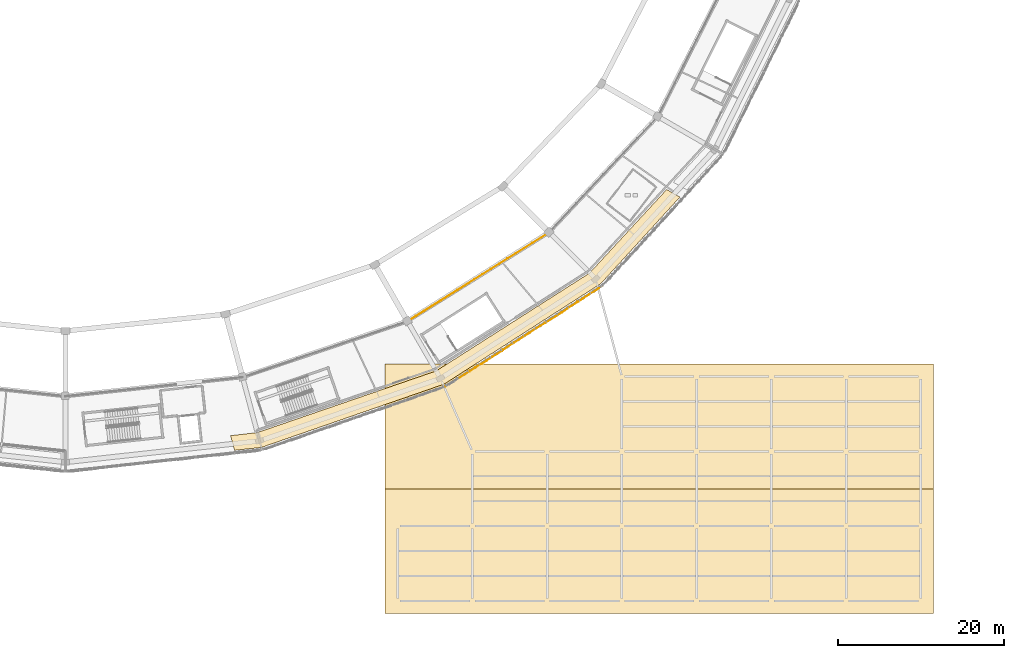
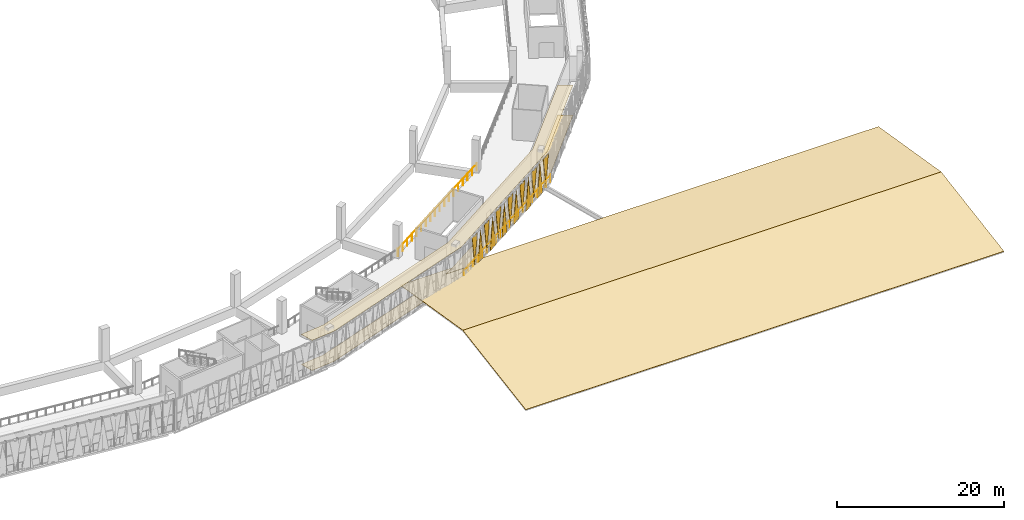
# One storey, part 92 of 108: 17 coverings, 2 railings.
"""IFC4 building model written with IfcOpenShell, lengths in metres."""

from ifc_helpers import new_model, si_unit, direction, frame, origin, origin_2d, place, context, subcontext, project, spatial, polyline, circle, outline, extrude, material, layer, layer_set, type_object, element, save


model = new_model("IFC4")

# Units and contexts
model_context = context("Model", 3, precision=1e-05, world=origin(), true_north=direction((0.0, 1.0)))
body_context = subcontext(model_context, "Body", "Model", "MODEL_VIEW")
ifc_project = project(units=[si_unit("LENGTHUNIT", "METRE"), si_unit("AREAUNIT", "SQUARE_METRE"), si_unit("VOLUMEUNIT", "CUBIC_METRE"), si_unit("PLANEANGLEUNIT", "RADIAN"), si_unit("MASSUNIT", "GRAM", prefix="KILO")], contexts=[model_context])

# Site, building, storey
site_placement = place(None, origin())
site = spatial("IfcSite", under=ifc_project, at=site_placement, CompositionType="ELEMENT")
building_placement = place(site_placement, origin())
building = spatial("IfcBuilding", under=site, at=building_placement, Name="Zevraka Park Crest Stadium", CompositionType="ELEMENT")
storey_placement = place(building_placement, frame((0.0, 0.0, 19.800048828125)))
storey = spatial("IfcBuildingStorey", under=building, at=storey_placement, Name="L04", CompositionType="ELEMENT", Elevation=19.800048828125)

# Coverings
ifc_material_1 = material(Name="Architectural golden-bronze perforated aluminium", Category="aluminium")
ifc_layer_1 = layer(ifc_material_1, 0.034912109375)
ifc_layer_set_1 = layer_set([ifc_layer_1], Name="Architectural golden-bronze perforated aluminium")
covering_type_1 = type_object("IfcCoveringType", Name="CLD01", PredefinedType="CLADDING", material=ifc_layer_set_1)
covering_1_placement = place(storey_placement, frame((160.659912109375, 27.615966796875, 4.52001953125), z_axis=(0.540195362812, -0.841539638734, 8.0223789e-05), x_axis=(-0.841539641442, -0.54019536455, 0.0)))
element("IfcCovering", 1, at=covering_1_placement, inside=storey, type_object=covering_type_1, Name="Triangular Golden-Bronze Perforated Cladding L04-20-2", PredefinedType="CLADDING", context=body_context, shape_type="SweptSolid", body=[
    extrude(outline(polyline([(0.0, 0.0), (1.382963204657725, -2.0328790734103208e-20), (0.6918480966037213, 4.300048841962249), (0.0, 0.0)])), origin(), (0.0, 0.0, -1.0), 0.034912109375),
])
covering_2_placement = place(storey_placement, frame((160.794921875, 27.701904296875, -0.219970703125), z_axis=(0.540294068844, -0.841476271712, 5.7603718e-05), x_axis=(0.841476273108, 0.540294069741, 0.0)))
element("IfcCovering", 2, at=covering_2_placement, inside=storey, type_object=covering_type_1, Name="Triangular Golden-Bronze Perforated Cladding L04-20-3", PredefinedType="CLADDING", context=body_context, shape_type="SweptSolid", body=[
    extrude(outline(polyline([(0.0, 0.0), (1.384518018787818, 0.0), (0.6918481323074307, 4.579833991973376), (0.0, 0.0)])), origin(), (0.0, 0.0, -1.0), 0.034912109375),
])
covering_3_placement = place(storey_placement, frame((163.259033203125, 29.282958984375, 4.52001953125), z_axis=(-0.539794341727, 0.841796927687, 3.4293146e-05), x_axis=(-0.841796928182, -0.539794342045, 0.0)))
element("IfcCovering", 3, at=covering_3_placement, inside=storey, type_object=covering_type_1, Name="Triangular Golden-Bronze Perforated Cladding L04-20-4", PredefinedType="CLADDING", context=body_context, shape_type="SweptSolid", body=[
    extrude(outline(polyline([(0.0, 0.0), (1.3839906318215187, 0.0), (0.691320710798344, -4.300048830653472), (0.0, 0.0)])), origin(), (0.0, 0.0, -1.0), 0.034912109375),
])
covering_4_placement = place(storey_placement, frame((163.39404296875, 29.3701171875, -0.219970703125), z_axis=(-0.539669320055, 0.841877082479, 5.4659314e-05), x_axis=(0.841877083737, 0.539669320861, 0.0)))
element("IfcCovering", 4, at=covering_4_placement, inside=storey, type_object=covering_type_1, Name="Triangular Golden-Bronze Perforated Cladding L04-20-5", PredefinedType="CLADDING", context=body_context, shape_type="SweptSolid", body=[
    extrude(outline(polyline([(0.0, 0.0), (1.383858861354129, 0.0), (0.6911889698690501, -4.579833991216449), (0.0, 0.0)])), origin(), (0.0, 0.0, -1.0), 0.034912109375),
])
covering_5_placement = place(storey_placement, frame((165.85791015625, 30.950927734375, 4.52001953125), z_axis=(0.540374248914, -0.841424785107, 4.6020631e-05), x_axis=(-0.841424785998, -0.540374249486, 0.0)))
element("IfcCovering", 5, at=covering_5_placement, inside=storey, type_object=covering_type_1, Name="Triangular Golden-Bronze Perforated Cladding L04-20-6", PredefinedType="CLADDING", context=body_context, shape_type="SweptSolid", body=[
    extrude(outline(polyline([(0.0, 0.0), (1.38431258652916, -6.776263578034403e-21), (0.6918481543048638, 4.300048832678534), (0.0, 0.0)])), origin(), (0.0, 0.0, -1.0), 0.034912109375),
])
covering_6_placement = place(storey_placement, frame((165.992919921875, 31.037109375, -0.219970703125), z_axis=(0.539669316655, -0.841877077175, 0.000124854963), x_axis=(0.841877083737, 0.539669320861, 0.0)))
element("IfcCovering", 6, at=covering_6_placement, inside=storey, type_object=covering_type_1, Name="Triangular Golden-Bronze Perforated Cladding L04-20-7", PredefinedType="CLADDING", context=body_context, shape_type="SweptSolid", body=[
    extrude(outline(polyline([(0.0, 0.0), (1.383858861354129, 0.0), (0.6917159906902037, 4.579834020071972), (0.0, 0.0)])), origin(), (0.0, 0.0, -1.0), 0.034912109375),
])
covering_7_placement = place(storey_placement, frame((168.45703125, 32.617919921875, 4.52001953125), z_axis=(0.539669312043, -0.84187706998, 0.000180777341), x_axis=(-0.841877083737, -0.539669320861, 0.0)))
element("IfcCovering", 7, at=covering_7_placement, inside=storey, type_object=covering_type_1, Name="Triangular Golden-Bronze Perforated Cladding L04-20-8", PredefinedType="CLADDING", context=body_context, shape_type="SweptSolid", body=[
    extrude(outline(polyline([(0.0, 0.0), (1.383858861354129, -2.710505431213761e-20), (0.6918477458954921, 4.300048898388761), (0.0, 0.0)])), origin(), (0.0, 0.0, -1.0), 0.034912109375),
])
covering_8_placement = place(storey_placement, frame((168.592041015625, 32.7041015625, -0.219970703125), z_axis=(0.540169191028, -0.841556441261, 3.5159665e-05), x_axis=(0.841556441782, 0.540169191361, 0.0)))
element("IfcCovering", 8, at=covering_8_placement, inside=storey, type_object=covering_type_1, Name="Triangular Golden-Bronze Perforated Cladding L04-20-9", PredefinedType="CLADDING", context=body_context, shape_type="SweptSolid", body=[
    extrude(outline(polyline([(0.0, 0.0), (1.3843861262991644, -3.3881317890172014e-21), (0.6917162082962512, 4.5798339872058005), (0.0, 0.0)])), origin(), (0.0, 0.0, -1.0), 0.034912109375),
])
covering_9_placement = place(storey_placement, frame((171.055908203125, 34.284912109375, 4.52001953125), z_axis=(-0.539749483727, 0.841825690377, 4.2876882e-05), x_axis=(-0.84182569115, -0.539749484223, 0.0)))
element("IfcCovering", 9, at=covering_9_placement, inside=storey, type_object=covering_type_1, Name="Triangular Golden-Bronze Perforated Cladding L04-20-10", PredefinedType="CLADDING", context=body_context, shape_type="SweptSolid", body=[
    extrude(outline(polyline([(0.0, 0.0), (1.3836533312297754, 0.0), (0.6909834190478873, -4.300048832077664), (0.0, 0.0)])), origin(), (0.0, 0.0, -1.0), 0.034912109375),
])
covering_10_placement = place(storey_placement, frame((171.19091796875, 34.3720703125, -0.219970703125), z_axis=(-0.539669320836, 0.841877083696, 9.780744e-06), x_axis=(0.841877083737, 0.539669320861, 0.0)))
element("IfcCovering", 10, at=covering_10_placement, inside=storey, type_object=covering_type_1, Name="Triangular Golden-Bronze Perforated Cladding L04-20-11", PredefinedType="CLADDING", context=body_context, shape_type="SweptSolid", body=[
    extrude(outline(polyline([(0.0, 0.0), (1.383858861354129, 0.0), (0.6913207250743385, -4.57983398459406), (0.0, 0.0)])), origin(), (0.0, 0.0, -1.0), 0.034912109375),
])
covering_11_placement = place(storey_placement, frame((173.655029296875, 35.952880859375, 4.52001953125), z_axis=(0.540169190983, -0.841556441191, 3.7447349e-05), x_axis=(-0.841556441782, -0.540169191361, 0.0)))
element("IfcCovering", 11, at=covering_11_placement, inside=storey, type_object=covering_type_1, Name="Triangular Golden-Bronze Perforated Cladding L04-20-12", PredefinedType="CLADDING", context=body_context, shape_type="SweptSolid", body=[
    extrude(outline(polyline([(0.0, 0.0), (1.3843861262991644, -6.776263578034403e-21), (0.6917162082962512, 4.300048831139988), (0.0, 0.0)])), origin(), (0.0, 0.0, -1.0), 0.034912109375),
])
covering_12_placement = place(storey_placement, frame((173.7900390625, 36.0390625, -0.219970703125), z_axis=(0.539990084458, -0.84167137061, 0.000112169008), x_axis=(0.841671375905, 0.539990087855, 0.0)))
element("IfcCovering", 12, at=covering_12_placement, inside=storey, type_object=covering_type_1, Name="Triangular Golden-Bronze Perforated Cladding L04-20-13", PredefinedType="CLADDING", context=body_context, shape_type="SweptSolid", body=[
    extrude(outline(polyline([(0.0, 0.0), (1.3830368161779776, 1.3552527156068805e-20), (0.6918479918828457, 4.579834013186477), (0.0, 0.0)])), origin(), (0.0, 0.0, -1.0), 0.034912109375),
])
covering_13_placement = place(storey_placement, frame((176.25390625, 37.6201171875, 4.52001953125), z_axis=(0.539874500701, -0.841745504197, 0.000172212415), x_axis=(-0.841745516679, -0.539874508706, 0.0)))
element("IfcCovering", 13, at=covering_13_placement, inside=storey, type_object=covering_type_1, Name="Triangular Golden-Bronze Perforated Cladding L04-20-14", PredefinedType="CLADDING", context=body_context, shape_type="SweptSolid", body=[
    extrude(outline(polyline([(0.0, 0.0), (1.3837851212687016, 2.710505431213761e-20), (0.6916424105429726, 4.300048891888524), (0.0, 0.0)])), origin(), (0.0, 0.0, -1.0), 0.034912109375),
])
ifc_material_2 = material(Name="Perforated acoustic mineral-fibre suspended ceiling", Category="other")
ifc_layer_2 = layer(ifc_material_2, 0.02490234375)
ifc_layer_set_2 = layer_set([ifc_layer_2], Name="Perforated acoustic mineral-fibre suspended ceiling")
covering_type_2 = type_object("IfcCoveringType", Name="CLG01", PredefinedType="CEILING", material=ifc_layer_set_2)
covering_14_placement = place(storey_placement, frame((0.0, 0.0, 4.39990234375)))
element("IfcCovering", 14, at=covering_14_placement, inside=storey, type_object=covering_type_2, Name="Acoustic Ceiling Executive Club Lounge L04-039", PredefinedType="CEILING", context=body_context, shape_type="SweptSolid", body=[
    extrude(outline(polyline([(135.60205078125, 18.48095703125), (132.363037109375, 18.1279296875), (131.875, 19.89599609375), (135.073974609375, 20.264892578125), (135.094970703125, 20.26904296875), (135.115966796875, 20.27490234375), (156.594970703125, 27.673095703125), (156.616943359375, 27.681884765625), (156.637939453125, 27.693115234375), (175.0830078125, 39.462890625), (175.096923828125, 39.472900390625), (175.110107421875, 39.48388671875), (175.1220703125, 39.49609375), (184.382080078125, 49.530029296875), (185.97705078125, 48.617919921875), (176.451904296875, 38.197998046875), (157.5869140625, 26.095947265625), (135.60205078125, 18.48095703125)])), origin(), (0.0, 0.0, 1.0), 0.025146484375),
])
ifc_material_3 = material(Name="Honed terrazzo and slip-resistant sports flooring", Category="other")
ifc_layer_3 = layer(ifc_material_3, 0.0400390625)
ifc_layer_set_3 = layer_set([ifc_layer_3], Name="Honed terrazzo and slip-resistant sports flooring")
covering_type_3 = type_object("IfcCoveringType", Name="FLR01", PredefinedType="FLOORING", material=ifc_layer_set_3)
covering_15_placement = place(storey_placement, origin())
element("IfcCovering", 15, at=covering_15_placement, inside=storey, type_object=covering_type_3, Name="Terrazzo Floor Finish Executive Club Lounge L04-039", PredefinedType="FLOORING", context=body_context, shape_type="SweptSolid", body=[
    extrude(outline(polyline([(135.60205078125, 18.48095703125), (132.363037109375, 18.1279296875), (131.875, 19.89599609375), (135.073974609375, 20.264892578125), (135.094970703125, 20.26904296875), (135.115966796875, 20.27490234375), (156.594970703125, 27.673095703125), (156.616943359375, 27.681884765625), (156.637939453125, 27.693115234375), (175.0830078125, 39.462890625), (175.096923828125, 39.472900390625), (175.110107421875, 39.48388671875), (175.1220703125, 39.49609375), (184.382080078125, 49.530029296875), (185.97705078125, 48.617919921875), (176.451904296875, 38.197998046875), (157.5869140625, 26.095947265625), (135.60205078125, 18.48095703125)])), origin(), (0.0, 0.0, 1.0), 0.0400390625),
])

# Railings
ifc_material_4 = material(Name="Galvanised and bronze-finished steel balustrade", Category="steel")
railing_type = type_object("IfcRailingType", Name="GR01", PredefinedType="GUARDRAIL", material=ifc_material_4)
railing_1_placement = place(storey_placement, frame((176.655029296875, 37.9599609375, 0.0)))
element("IfcRailing", 16, at=railing_1_placement, inside=storey, type_object=railing_type, Name="Deck Edge Protection Guardrail GR01 L04-16", PredefinedType="GUARDRAIL", context=body_context, shape_type="SweptSolid", body=[
    extrude(circle(Radius=0.02392578125, at=origin_2d()), frame((0.0, 0.0, 1.076171875), z_axis=(-0.841687940608, -0.539964267925, 0.0), x_axis=(0.539964267925, -0.841687940608, 0.0)), (0.0, 0.0, 1.0), 22.497802734375),
    extrude(circle(Radius=0.02099609375, at=origin_2d()), origin(), (0.0, 0.0, 1.0), 1.052001953125),
    extrude(circle(Radius=0.02099609375, at=origin_2d()), frame((-0.99658203125, -0.639404296875, 0.0)), (0.0, 0.0, 1.0), 1.052001953125),
    extrude(circle(Radius=0.02099609375, at=origin_2d()), frame((-1.9931640625, -1.27880859375, 0.0)), (0.0, 0.0, 1.0), 1.052001953125),
    extrude(circle(Radius=0.02099609375, at=origin_2d()), frame((-2.989990234375, -1.918212890625, 0.0)), (0.0, 0.0, 1.0), 1.052001953125),
    extrude(circle(Radius=0.02099609375, at=origin_2d()), frame((-3.986572265625, -2.557373046875, 0.0)), (0.0, 0.0, 1.0), 1.052001953125),
    extrude(circle(Radius=0.02099609375, at=origin_2d()), frame((-4.983154296875, -3.19677734375, 0.0)), (0.0, 0.0, 1.0), 1.052001953125),
    extrude(circle(Radius=0.02099609375, at=origin_2d()), frame((-5.979736328125, -3.836181640625, 0.0)), (0.0, 0.0, 1.0), 1.052001953125),
    extrude(circle(Radius=0.02099609375, at=origin_2d()), frame((-6.976318359375, -4.4755859375, 0.0)), (0.0, 0.0, 1.0), 1.052001953125),
    extrude(circle(Radius=0.02099609375, at=origin_2d()), frame((-7.97314453125, -5.114990234375, 0.0)), (0.0, 0.0, 1.0), 1.052001953125),
    extrude(circle(Radius=0.02099609375, at=origin_2d()), frame((-8.9697265625, -5.75439453125, 0.0)), (0.0, 0.0, 1.0), 1.052001953125),
    extrude(circle(Radius=0.02099609375, at=origin_2d()), frame((-9.96630859375, -6.3935546875, 0.0)), (0.0, 0.0, 1.0), 1.052001953125),
    extrude(circle(Radius=0.02099609375, at=origin_2d()), frame((-10.962890625, -7.032958984375, 0.0)), (0.0, 0.0, 1.0), 1.052001953125),
    extrude(circle(Radius=0.02099609375, at=origin_2d()), frame((-11.959716796875, -7.67236328125, 0.0)), (0.0, 0.0, 1.0), 1.052001953125),
    extrude(circle(Radius=0.02099609375, at=origin_2d()), frame((-12.956298828125, -8.311767578125, 0.0)), (0.0, 0.0, 1.0), 1.052001953125),
    extrude(circle(Radius=0.02099609375, at=origin_2d()), frame((-13.952880859375, -8.951171875, 0.0)), (0.0, 0.0, 1.0), 1.052001953125),
    extrude(circle(Radius=0.02099609375, at=origin_2d()), frame((-14.949462890625, -9.590576171875, 0.0)), (0.0, 0.0, 1.0), 1.052001953125),
    extrude(circle(Radius=0.02099609375, at=origin_2d()), frame((-15.946044921875, -10.229736328125, 0.0)), (0.0, 0.0, 1.0), 1.052001953125),
    extrude(circle(Radius=0.02099609375, at=origin_2d()), frame((-16.94287109375, -10.869140625, 0.0)), (0.0, 0.0, 1.0), 1.052001953125),
    extrude(circle(Radius=0.02099609375, at=origin_2d()), frame((-17.939453125, -11.508544921875, 0.0)), (0.0, 0.0, 1.0), 1.052001953125),
    extrude(circle(Radius=0.02099609375, at=origin_2d()), frame((-18.93603515625, -12.14794921875, 0.0)), (0.0, 0.0, 1.0), 1.052001953125),
])
railing_2_placement = place(storey_placement, frame((153.18994140625, 33.657958984375, 0.0)))
element("IfcRailing", 17, at=railing_2_placement, inside=storey, type_object=railing_type, Name="Deck Edge Protection Guardrail GR01 L04-31", PredefinedType="GUARDRAIL", context=body_context, shape_type="SweptSolid", body=[
    extrude(circle(Radius=0.02392578125, at=origin_2d()), frame((0.0, 0.0, 1.076171875), z_axis=(0.847002530982, 0.531588856645, 0.0), x_axis=(-0.531588856645, 0.847002530982, 0.0)), (0.0, 0.0, 1.0), 20.12646484375),
    extrude(circle(Radius=0.02099609375, at=origin_2d()), origin(), (0.0, 0.0, 1.0), 1.052001953125),
    extrude(circle(Radius=0.02099609375, at=origin_2d()), frame((1.002685546875, 0.62939453125, 0.0)), (0.0, 0.0, 1.0), 1.052001953125),
    extrude(circle(Radius=0.02099609375, at=origin_2d()), frame((2.005615234375, 1.2587890625, 0.0)), (0.0, 0.0, 1.0), 1.052001953125),
    extrude(circle(Radius=0.02099609375, at=origin_2d()), frame((3.00830078125, 1.887939453125, 0.0)), (0.0, 0.0, 1.0), 1.052001953125),
    extrude(circle(Radius=0.02099609375, at=origin_2d()), frame((4.010986328125, 2.517333984375, 0.0)), (0.0, 0.0, 1.0), 1.052001953125),
    extrude(circle(Radius=0.02099609375, at=origin_2d()), frame((5.013916015625, 3.146728515625, 0.0)), (0.0, 0.0, 1.0), 1.052001953125),
    extrude(circle(Radius=0.02099609375, at=origin_2d()), frame((6.0166015625, 3.776123046875, 0.0)), (0.0, 0.0, 1.0), 1.052001953125),
    extrude(circle(Radius=0.02099609375, at=origin_2d()), frame((7.019287109375, 4.405517578125, 0.0)), (0.0, 0.0, 1.0), 1.052001953125),
    extrude(circle(Radius=0.02099609375, at=origin_2d()), frame((8.022216796875, 5.034912109375, 0.0)), (0.0, 0.0, 1.0), 1.052001953125),
    extrude(circle(Radius=0.02099609375, at=origin_2d()), frame((9.02490234375, 5.6640625, 0.0)), (0.0, 0.0, 1.0), 1.052001953125),
    extrude(circle(Radius=0.02099609375, at=origin_2d()), frame((10.02783203125, 6.29345703125, 0.0)), (0.0, 0.0, 1.0), 1.052001953125),
    extrude(circle(Radius=0.02099609375, at=origin_2d()), frame((11.030517578125, 6.9228515625, 0.0)), (0.0, 0.0, 1.0), 1.052001953125),
    extrude(circle(Radius=0.02099609375, at=origin_2d()), frame((12.033203125, 7.55224609375, 0.0)), (0.0, 0.0, 1.0), 1.052001953125),
    extrude(circle(Radius=0.02099609375, at=origin_2d()), frame((13.0361328125, 8.181640625, 0.0)), (0.0, 0.0, 1.0), 1.052001953125),
    extrude(circle(Radius=0.02099609375, at=origin_2d()), frame((14.038818359375, 8.81103515625, 0.0)), (0.0, 0.0, 1.0), 1.052001953125),
    extrude(circle(Radius=0.02099609375, at=origin_2d()), frame((15.04150390625, 9.440185546875, 0.0)), (0.0, 0.0, 1.0), 1.052001953125),
    extrude(circle(Radius=0.02099609375, at=origin_2d()), frame((16.04443359375, 10.069580078125, 0.0)), (0.0, 0.0, 1.0), 1.052001953125),
    extrude(circle(Radius=0.02099609375, at=origin_2d()), frame((17.047119140625, 10.698974609375, 0.0)), (0.0, 0.0, 1.0), 1.052001953125),
])

# Coverings
ifc_material_5 = material(Name="Insulated standing-seam acoustic aluminium roofing", Category="aluminium")
ifc_layer_4 = layer(ifc_material_5, 0.06005859375)
ifc_layer_set_4 = layer_set([ifc_layer_4], Name="Insulated standing-seam acoustic aluminium roofing")
covering_type_4 = type_object("IfcCoveringType", Name="RCV01", PredefinedType="ROOFING", material=ifc_layer_set_4)
for number, where, z_axis, x_axis, name in (
    (18, (150.5, -1.5, -0.1201171875), (0.0, -0.163117676609, 0.986606620481), (1.0, 0.0, 0.0), "Pavilion Wide-Eave Standing-Seam Roofing SE-PLINTH-ROOF-S"),
    (19, (216.5, 28.5, -0.1201171875), (0.0, 0.163117676609, 0.986606620481), (-1.0, 0.0, 0.0), "Pavilion Wide-Eave Standing-Seam Roofing SE-PLINTH-ROOF-N"),
):
    element("IfcCovering", number, at=place(storey_placement, frame(where, z_axis=z_axis, x_axis=x_axis)), inside=storey, type_object=covering_type_4, Name=name, PredefinedType="ROOFING", context=body_context, shape_type="SweptSolid", body=[
        extrude(outline(polyline([(0.0, 0.0), (66.0, 0.0), (66.0, 15.203627959318837), (0.0, 15.203627959318837), (0.0, 0.0)])), origin(), (0.0, 0.0, -1.0), 0.06005859375),
    ])

save(model, "model.ifc")
